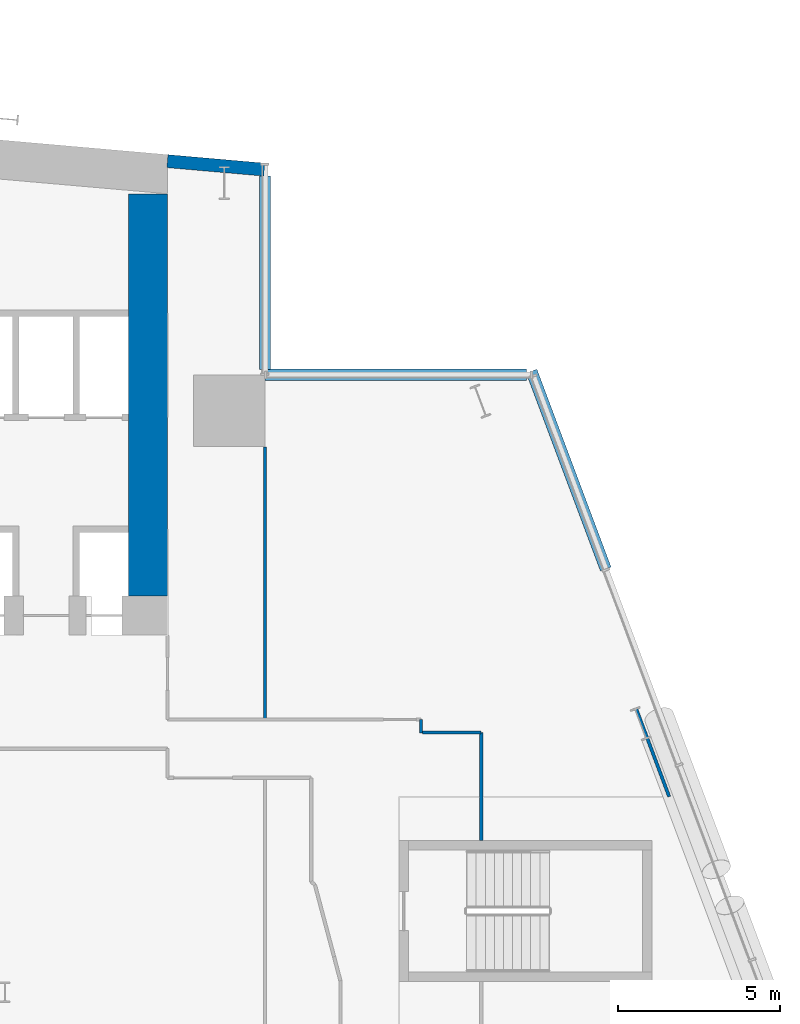
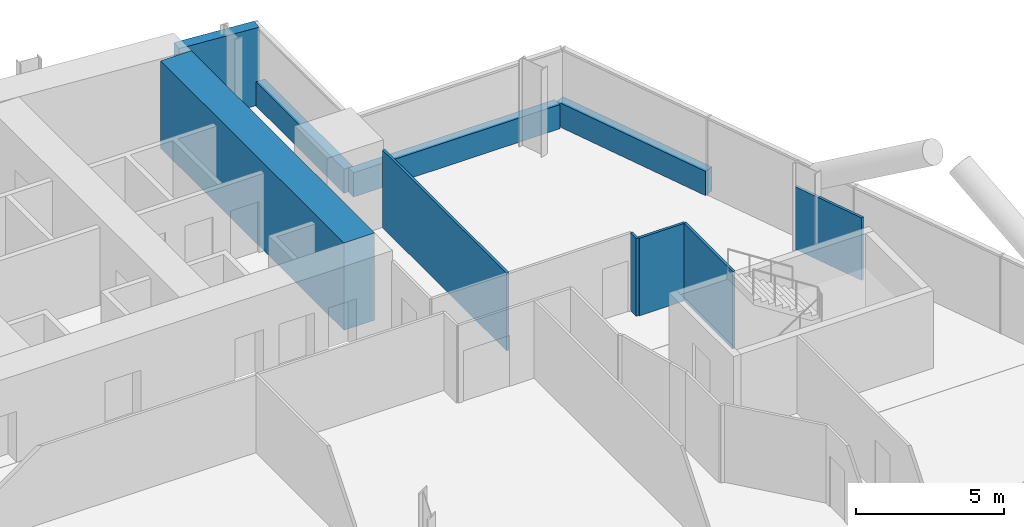
# One storey, part 19 of 27: 10 walls.
"""IFC4 building model written with IfcOpenShell, lengths in metres."""

from ifc_helpers import new_model, si_unit, direction, frame, frame_2d, origin, place, context, subcontext, project, spatial, rectangle, extrude, material, layer, layer_set, type_object, element, save


model = new_model("IFC4")

# Units and contexts
model_context = context("Model", 3, precision=1e-05, world=origin(), true_north=direction((0.0, 1.0)))
body_context = subcontext(model_context, "Body", "Model", "MODEL_VIEW")
ifc_project = project(units=[si_unit("LENGTHUNIT", "METRE"), si_unit("AREAUNIT", "SQUARE_METRE"), si_unit("VOLUMEUNIT", "CUBIC_METRE"), si_unit("PLANEANGLEUNIT", "RADIAN"), si_unit("MASSUNIT", "GRAM", prefix="KILO")], contexts=[model_context])

# Site, building, storey
site_placement = place(None, origin())
site = spatial("IfcSite", under=ifc_project, at=site_placement, CompositionType="ELEMENT")
building_placement = place(site_placement, origin())
building = spatial("IfcBuilding", under=site, at=building_placement, Name="Wharfspan Tower", CompositionType="ELEMENT")
storey_placement = place(building_placement, frame((0.0, 0.0, 73.899902)))
storey = spatial("IfcBuildingStorey", under=building, at=storey_placement, Name="L15", CompositionType="ELEMENT", Elevation=73.899902)

# Walls
ifc_material_1 = material(Name="Gypsum board on steel studs", Category="steel")
ifc_layer_1 = layer(ifc_material_1, 0.100098)
ifc_layer_set_1 = layer_set([ifc_layer_1], Name="Gypsum board on steel studs")
wall_type_1 = type_object("IfcWallType", Name="Compartment wall 100 EI 60", PredefinedType="PARTITIONING", material=ifc_layer_set_1)
wall_1_placement = place(storey_placement, frame((68.0, 31.399902, 0.0), z_axis=(0.0, 0.0, 1.0), x_axis=(0.0, 1.0, 0.0)))
element("IfcWall", 1, at=wall_1_placement, inside=storey, type_object=wall_type_1, Name="Partition L15.w053", PredefinedType="PARTITIONING", context=body_context, shape_type="SweptSolid", body=[
    extrude(rectangle(XDim=8.390137, YDim=0.100098, at=frame_2d((4.195068, 0.0))), origin(), (0.0, 0.0, 1.0), 3.200195),
])
wall_2_placement = place(storey_placement, frame((72.810059, 30.985107, 0.0), z_axis=(0.0, 0.0, 1.0), x_axis=(0.0, 1.0, 0.0)))
element("IfcWall", 2, at=wall_2_placement, inside=storey, type_object=wall_type_1, Name="Partition L15.w061", PredefinedType="PARTITIONING", context=body_context, shape_type="SweptSolid", body=[
    extrude(rectangle(XDim=0.414795, YDim=0.100098, at=frame_2d((0.20752, 0.0))), origin(), (0.0, 0.0, 1.0), 3.200195),
])
wall_3_placement = place(storey_placement, frame((72.860107, 31.0, 0.0), z_axis=(0.0, 0.0, 1.0), x_axis=(1.0, 0.0, 0.0)))
element("IfcWall", 3, at=wall_3_placement, inside=storey, type_object=wall_type_1, Name="Partition L15.w063", PredefinedType="PARTITIONING", context=body_context, shape_type="SweptSolid", body=[
    extrude(rectangle(XDim=1.799805, YDim=0.100098, at=frame_2d((0.899902, 0.0))), origin(), (0.0, 0.0, 1.0), 3.200195),
])
wall_4_placement = place(storey_placement, frame((74.659912, 27.675049, 0.0), z_axis=(0.0, 0.0, 1.0), x_axis=(0.0, 1.0, 0.0)))
element("IfcWall", 4, at=wall_4_placement, inside=storey, type_object=wall_type_1, Name="Partition L15.w066", PredefinedType="PARTITIONING", context=body_context, shape_type="SweptSolid", body=[
    extrude(rectangle(XDim=3.324951, YDim=0.100098, at=frame_2d((1.662598, 0.0))), origin(), (0.0, 0.0, 1.0), 3.200195),
])
ifc_material_2 = material(Name="Concrete C70/85", Category="concrete")
ifc_layer_2 = layer(ifc_material_2, 1.199951)
ifc_layer_set_2 = layer_set([ifc_layer_2], Name="Concrete C70/85")
wall_type_2 = type_object("IfcWallType", Name="Core wall 1200 C70/85", PredefinedType="SHEAR", material=ifc_layer_set_2)
wall_5_placement = place(storey_placement, frame((64.399902, 35.199951, 0.0), z_axis=(0.0, 0.0, 1.0), x_axis=(0.0, 1.0, 0.0)))
element("IfcWall", 5, at=wall_5_placement, inside=storey, type_object=wall_type_2, Name="Core cross wall EW1 L15", PredefinedType="SHEAR", context=body_context, shape_type="SweptSolid", body=[
    extrude(rectangle(XDim=12.382812, YDim=1.199951, at=frame_2d((6.191406, 0.0))), origin(), (0.0, 0.0, 1.0), 3.600098),
])
ifc_layer_3 = layer(ifc_material_1, 0.100098)
ifc_layer_set_3 = layer_set([ifc_layer_3], Name="Gypsum board on steel studs")
wall_type_3 = type_object("IfcWallType", Name="Partition 100", PredefinedType="PARTITIONING", material=ifc_layer_set_3)
wall_6_placement = place(storey_placement, frame((80.44751, 29.02002, 0.0), z_axis=(0.0, 0.0, 1.0), x_axis=(-0.35129, 0.93627, 0.0)))
element("IfcWall", 6, at=wall_6_placement, inside=storey, type_object=wall_type_3, Name="Partition L15.w071", PredefinedType="PARTITIONING", context=body_context, shape_type="SweptSolid", body=[
    extrude(rectangle(XDim=2.910645, YDim=0.100098, at=frame_2d((1.455322, 0.0))), origin(), (0.0, 0.0, 1.0), 2.580078),
])
ifc_material_3 = material(Name="Concrete C40/50", Category="concrete")
ifc_layer_4 = layer(ifc_material_3, 0.350098)
ifc_layer_set_4 = layer_set([ifc_layer_4], Name="Concrete C40/50")
wall_type_4 = type_object("IfcWallType", Name="SPANDREL EXPOSED CONCRETE 350", PredefinedType="SOLIDWALL", material=ifc_layer_set_4)
wall_7_placement = place(storey_placement, frame((78.494141, 36.029785, 0.0), z_axis=(0.0, 0.0, 1.0), x_axis=(-0.351108, 0.936338, 0.0)))
element("IfcWall", 7, at=wall_7_placement, inside=storey, type_object=wall_type_4, Name="Spandrel upstand L15 E 2", PredefinedType="SOLIDWALL", context=body_context, shape_type="SweptSolid", body=[
    extrude(rectangle(XDim=6.50293, YDim=0.350098, at=frame_2d((3.251465, 0.0))), origin(), (0.0, 0.0, 1.0), 1.0),
])
wall_8_placement = place(storey_placement, frame((76.047119, 42.004883, 0.0), z_axis=(0.0, 0.0, 1.0), x_axis=(-1.0, 0.0, 0.0)))
element("IfcWall", 8, at=wall_8_placement, inside=storey, type_object=wall_type_4, Name="Spandrel upstand L15 NRE-H", PredefinedType="SOLIDWALL", context=body_context, shape_type="SweptSolid", body=[
    extrude(rectangle(XDim=8.047119, YDim=0.350098, at=frame_2d((4.023438, 0.0))), origin(), (0.0, 0.0, 1.0), 1.0),
])
wall_9_placement = place(storey_placement, frame((68.004883, 42.179932, 0.0), z_axis=(0.0, 0.0, 1.0), x_axis=(0.0, 1.0, 0.0)))
element("IfcWall", 9, at=wall_9_placement, inside=storey, type_object=wall_type_4, Name="Spandrel upstand L15 NRE-V", PredefinedType="SOLIDWALL", context=body_context, shape_type="SweptSolid", body=[
    extrude(rectangle(XDim=5.946533, YDim=0.350098, at=frame_2d((2.973145, 0.0))), origin(), (0.0, 0.0, 1.0), 1.0),
])
ifc_layer_5 = layer(ifc_material_3, 0.399902)
ifc_layer_set_5 = layer_set([ifc_layer_5], Name="Concrete C40/50")
wall_type_5 = type_object("IfcWallType", Name="WALL EXPOSED CONCRETE 400", PredefinedType="SOLIDWALL", material=ifc_layer_set_5)
wall_10_placement = place(storey_placement, frame((67.982666, 48.325684, 0.0), z_axis=(0.0, 0.0, 1.0), x_axis=(-0.996194, 0.087168, 0.0)))
element("IfcWall", 10, at=wall_10_placement, inside=storey, type_object=wall_type_5, Name="Rear wall N2", PredefinedType="SOLIDWALL", context=body_context, shape_type="SweptSolid", body=[
    extrude(rectangle(XDim=2.994141, YDim=0.399902, at=frame_2d((1.49707, 0.0))), origin(), (0.0, 0.0, 1.0), 3.200195),
])

save(model, "model.ifc")
